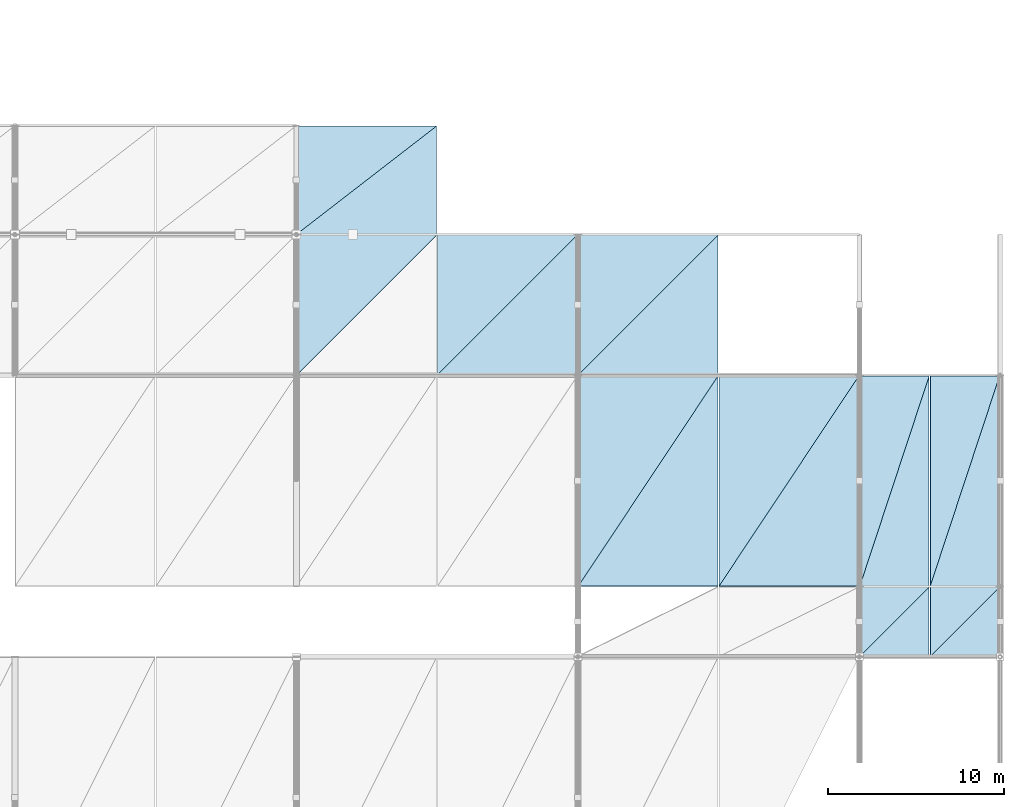
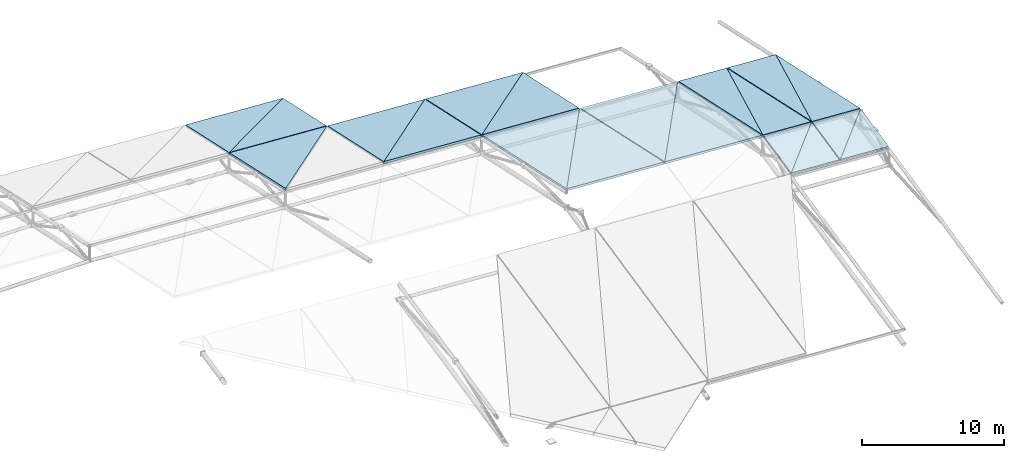
# One storey, part 39 of 67: 19 slabs.
"""IFC4 building model written with IfcOpenShell, lengths in metres."""

from ifc_helpers import new_model, si_unit, direction, frame, origin, place, context, subcontext, project, spatial, polyline, outline, extrude, material, layer, layer_set, type_object, element, save


model = new_model("IFC4")

# Units and contexts
model_context = context("Model", 3, precision=1e-05, world=origin(), true_north=direction((0.0, 1.0)))
body_context = subcontext(model_context, "Body", "Model", "MODEL_VIEW")
ifc_project = project(units=[si_unit("LENGTHUNIT", "METRE"), si_unit("AREAUNIT", "SQUARE_METRE"), si_unit("VOLUMEUNIT", "CUBIC_METRE"), si_unit("PLANEANGLEUNIT", "RADIAN"), si_unit("MASSUNIT", "GRAM", prefix="KILO")], contexts=[model_context])

# Site, building, storey
site_placement = place(None, origin())
site = spatial("IfcSite", under=ifc_project, at=site_placement, CompositionType="ELEMENT")
building_placement = place(site_placement, origin())
building = spatial("IfcBuilding", under=site, at=building_placement, Name="Drelvath Fold Interchange", CompositionType="ELEMENT")
storey_placement = place(building_placement, frame((0.0, 0.0, 15.60009765625)))
storey = spatial("IfcBuildingStorey", under=building, at=storey_placement, Name="L03", CompositionType="ELEMENT", Elevation=15.60009765625)

# Slabs
ifc_material = material(Name="Concrete f'c 35 MPa (5000 psi)", Category="concrete")
ifc_layer = layer(ifc_material, 0.169921875, Name="Concrete f'c 35 MPa (5000 psi)")
ifc_layer_set = layer_set([ifc_layer], Name="Concrete f'c 35 MPa (5000 psi)")
slab_type = type_object("IfcSlabType", Name="RF-SF1", PredefinedType="ROOF", material=ifc_layer_set)
slab_1_placement = place(storey_placement, frame((134.030029296875, 59.030029296875, 3.489990234375), z_axis=(0.058572452079, 0.212666286579, 0.975367786227), x_axis=(0.693820147809, 0.693820147809, -0.192943527975)))
element("IfcSlab", 1, at=slab_1_placement, inside=storey, type_object=slab_type, Name="Space frame canopy sloped roof facet 104", PredefinedType="ROOF", context=body_context, shape_type="SweptSolid", body=[
    extrude(outline(polyline([(0.0, 0.0), (11.443803457305071, 8.604228440844963e-16), (5.842915381818225, 5.648014418633915), (0.0, 0.0)])), origin(), (0.0, 0.0, -1.0), 0.169921875),
])
slab_2_placement = place(storey_placement, frame((134.030029296875, 67.030029296875, 1.745849609375), z_axis=(0.058602056406, 0.212687647419, 0.97536135028), x_axis=(0.99819992436, 0.0, -0.059974252881)))
element("IfcSlab", 2, at=slab_2_placement, inside=storey, type_object=slab_type, Name="Space frame canopy sloped roof facet 105", PredefinedType="ROOF", context=body_context, shape_type="SweptSolid", body=[
    extrude(outline(polyline([(0.0, 0.0), (7.954259675329594, -1.3877787807814457e-17), (8.0345572346069, 6.283661235191848), (0.0, 0.0)])), origin(), (0.0, 0.0, -1.0), 0.169921875),
])
slab_3_placement = place(storey_placement, frame((134.030029296875, 67.030029296875, 1.745849609375), z_axis=(0.058723543311, 0.212538028694, 0.975386657598), x_axis=(0.778431207908, 0.601954567606, -0.178032449555)))
element("IfcSlab", 3, at=slab_3_placement, inside=storey, type_object=slab_type, Name="Space frame canopy sloped roof facet 106", PredefinedType="ROOF", context=body_context, shape_type="SweptSolid", body=[
    extrude(outline(polyline([(0.0, 0.0), (10.19992688575888, -2.7755575615628914e-16), (3.9341243272145876, 4.900091629081616), (0.0, 0.0)])), origin(), (0.0, 0.0, -1.0), 0.169921875),
])
slab_4_placement = place(storey_placement, frame((142.030029296875, 59.030029296875, 3.0087890625), z_axis=(0.058572452079, 0.212666286579, 0.975367786227), x_axis=(0.998201761375, 0.0, -0.05994367013)))
element("IfcSlab", 4, at=slab_4_placement, inside=storey, type_object=slab_type, Name="Space frame canopy sloped roof facet 115", PredefinedType="ROOF", context=body_context, shape_type="SweptSolid", body=[
    extrude(outline(polyline([(0.0, 0.0), (7.954245036911256, 0.0), (8.058019588886626, 8.125820443164304), (0.0, 0.0)])), origin(), (0.0, 0.0, -1.0), 0.169921875),
])
slab_5_placement = place(storey_placement, frame((142.030029296875, 59.030029296875, 3.0087890625), z_axis=(0.05860271387, 0.212637278064, 0.975372292976), x_axis=(0.693820147809, 0.693820147809, -0.192943527975)))
element("IfcSlab", 5, at=slab_5_placement, inside=storey, type_object=slab_type, Name="Space frame canopy sloped roof facet 116", PredefinedType="ROOF", context=body_context, shape_type="SweptSolid", body=[
    extrude(outline(polyline([(0.0, 0.0), (11.443803457305071, -3.3306690738754696e-16), (5.842868276464715, 5.6479883217477775), (0.0, 0.0)])), origin(), (0.0, 0.0, -1.0), 0.169921875),
])
slab_6_placement = place(storey_placement, frame((150.030029296875, 47.030029296875, 5.143798828125), z_axis=(0.058572779625, 0.212641178827, 0.975373240639), x_axis=(0.998201761375, 0.0, -0.05994367013)))
element("IfcSlab", 6, at=slab_6_placement, inside=storey, type_object=slab_type, Name="Space frame canopy sloped roof facet 125", PredefinedType="ROOF", context=body_context, shape_type="SweptSolid", body=[
    extrude(outline(polyline([(0.0, 0.0), (7.954245036911256, -1.3877787807814457e-17), (8.110280049344114, 12.219394633609658), (0.0, 0.0)])), origin(), (0.0, 0.0, -1.0), 0.169921875),
])
slab_7_placement = place(storey_placement, frame((150.030029296875, 47.030029296875, 5.143798828125), z_axis=(0.058602916352, 0.212621763051, 0.975375663051), x_axis=(0.541385896221, 0.814126395689, -0.209998864794)))
element("IfcSlab", 7, at=slab_7_placement, inside=storey, type_object=slab_type, Name="Space frame canopy sloped roof facet 126", PredefinedType="ROOF", context=body_context, shape_type="SweptSolid", body=[
    extrude(outline(polyline([(0.0, 0.0), (14.665955396450572, -6.106226635438361e-16), (10.267202979771145, 6.62730896815075), (0.0, 0.0)])), origin(), (0.0, 0.0, -1.0), 0.169921875),
])
slab_8_placement = place(storey_placement, frame((150.030029296875, 59.030029296875, 2.52783203125), z_axis=(0.05860271387, 0.212637278064, 0.975372292976), x_axis=(0.99819992436, 0.0, -0.059974252881)))
element("IfcSlab", 8, at=slab_8_placement, inside=storey, type_object=slab_type, Name="Space frame canopy sloped roof facet 127", PredefinedType="ROOF", context=body_context, shape_type="SweptSolid", body=[
    extrude(outline(polyline([(0.0, 0.0), (7.954259675329594, 0.0), (8.058072530048067, 8.125767943395397), (0.0, 0.0)])), origin(), (0.0, 0.0, -1.0), 0.169921875),
])
slab_9_placement = place(storey_placement, frame((150.030029296875, 59.030029296875, 2.52783203125), z_axis=(0.05860271387, 0.212637278064, 0.975372292976), x_axis=(0.693820147809, 0.693820147809, -0.192943527975)))
element("IfcSlab", 9, at=slab_9_placement, inside=storey, type_object=slab_type, Name="Space frame canopy sloped roof facet 128", PredefinedType="ROOF", context=body_context, shape_type="SweptSolid", body=[
    extrude(outline(polyline([(0.0, 0.0), (11.443803457305071, -3.3306690738754696e-16), (5.842868276464715, 5.6479883217477775), (0.0, 0.0)])), origin(), (0.0, 0.0, -1.0), 0.169921875),
])
slab_10_placement = place(storey_placement, frame((158.030029296875, 47.030029296875, 4.662841796875), z_axis=(0.058723463999, 0.212544096242, 0.975385340227), x_axis=(0.998192566997, 0.0, -0.060096582196)))
element("IfcSlab", 10, at=slab_10_placement, inside=storey, type_object=slab_type, Name="Space frame canopy sloped roof facet 137", PredefinedType="ROOF", context=body_context, shape_type="SweptSolid", body=[
    extrude(outline(polyline([(0.0, 0.0), (7.954318303667255, -1.3877787807814457e-17), (8.110677990303842, 12.219130502137968), (0.0, 0.0)])), origin(), (0.0, 0.0, -1.0), 0.169921875),
])
slab_11_placement = place(storey_placement, frame((158.030029296875, 47.030029296875, 4.662841796875), z_axis=(0.058572779625, 0.212641178827, 0.975373240639), x_axis=(0.541385896221, 0.814126395689, -0.209998864794)))
element("IfcSlab", 11, at=slab_11_placement, inside=storey, type_object=slab_type, Name="Space frame canopy sloped roof facet 138", PredefinedType="ROOF", context=body_context, shape_type="SweptSolid", body=[
    extrude(outline(polyline([(0.0, 0.0), (14.665955396450572, -6.661338147750939e-16), (10.267254249025246, 6.627325427566269), (0.0, 0.0)])), origin(), (0.0, 0.0, -1.0), 0.169921875),
])
slab_12_placement = place(storey_placement, frame((166.030029296875, 43.030029296875, 3.322998046875), z_axis=(0.058686583493, -0.21262554143, 0.975369808867), x_axis=(0.998194773078, 0.0, -0.060059928409)))
element("IfcSlab", 12, at=slab_12_placement, inside=storey, type_object=slab_type, Name="Space frame canopy sloped roof facet 147", PredefinedType="ROOF", context=body_context, shape_type="SweptSolid", body=[
    extrude(outline(polyline([(0.0, 0.0), (3.947066757424797, -6.938893903907228e-18), (3.8954820825855525, 4.032141329572923), (0.0, 0.0)])), origin(), (0.0, 0.0, -1.0), 0.169921875),
])
slab_13_placement = place(storey_placement, frame((166.030029296875, 43.030029296875, 3.322998046875), z_axis=(0.058686583493, -0.21262554143, 0.975369808867), x_axis=(0.702744137511, 0.702744137511, 0.110911470953)))
element("IfcSlab", 13, at=slab_13_placement, inside=storey, type_object=slab_type, Name="Space frame canopy sloped roof facet 148", PredefinedType="ROOF", context=body_context, shape_type="SweptSolid", body=[
    extrude(outline(polyline([(0.0, 0.0), (5.606509106154665, -1.3877787807814457e-16), (2.8640311147360253, 2.8386881572572022), (0.0, 0.0)])), origin(), (0.0, 0.0, -1.0), 0.169921875),
])
slab_14_placement = place(storey_placement, frame((166.030029296875, 47.030029296875, 4.181884765625), z_axis=(0.058686397696, 0.212639757462, 0.975366720917), x_axis=(0.998194773078, 0.0, -0.060059928409)))
element("IfcSlab", 14, at=slab_14_placement, inside=storey, type_object=slab_type, Name="Space frame canopy sloped roof facet 149", PredefinedType="ROOF", context=body_context, shape_type="SweptSolid", body=[
    extrude(outline(polyline([(0.0, 0.0), (3.947066757424797, 6.938893903907228e-18), (4.103404393336118, 12.219390765524729), (0.0, 0.0)])), origin(), (0.0, 0.0, -1.0), 0.169921875),
])
slab_15_placement = place(storey_placement, frame((166.030029296875, 47.030029296875, 4.181884765625), z_axis=(0.058686397696, 0.212639757462, 0.975366720917), x_axis=(0.305659367861, 0.926296755768, -0.220333091233)))
element("IfcSlab", 15, at=slab_15_placement, inside=storey, type_object=slab_type, Name="Space frame canopy sloped roof facet 150", PredefinedType="ROOF", context=body_context, shape_type="SweptSolid", body=[
    extrude(outline(polyline([(0.0, 0.0), (12.889974332629263, 3.469446951953614e-17), (11.63346204988493, 3.7417259214005143), (0.0, 0.0)])), origin(), (0.0, 0.0, -1.0), 0.169921875),
])
slab_16_placement = place(storey_placement, frame((170.030029296875, 43.030029296875, 3.081787109375), z_axis=(0.058626352009, -0.212626295223, 0.975373266719), x_axis=(0.99819847941, 0.0, -0.059998297498)))
element("IfcSlab", 16, at=slab_16_placement, inside=storey, type_object=slab_type, Name="Space frame canopy sloped roof facet 159", PredefinedType="ROOF", context=body_context, shape_type="SweptSolid", body=[
    extrude(outline(polyline([(0.0, 0.0), (3.947052101879628, 0.0), (3.8955203610106977, 4.032142006429261), (0.0, 0.0)])), origin(), (0.0, 0.0, -1.0), 0.169921875),
])
slab_17_placement = place(storey_placement, frame((170.030029296875, 43.030029296875, 3.081787109375), z_axis=(0.058685829222, -0.212683247202, 0.975357272905), x_axis=(0.702740742796, 0.702740742796, 0.110954480893)))
element("IfcSlab", 17, at=slab_17_placement, inside=storey, type_object=slab_type, Name="Space frame canopy sloped roof facet 160", PredefinedType="ROOF", context=body_context, shape_type="SweptSolid", body=[
    extrude(outline(polyline([(0.0, 0.0), (5.606536189400752, -6.938893903907228e-17), (2.864081768920023, 2.8387109291285033), (0.0, 0.0)])), origin(), (0.0, 0.0, -1.0), 0.169921875),
])
slab_18_placement = place(storey_placement, frame((170.030029296875, 47.030029296875, 3.94091796875), z_axis=(0.058686397696, 0.212639757462, 0.975366720917), x_axis=(0.998194773078, 0.0, -0.060059928409)))
element("IfcSlab", 18, at=slab_18_placement, inside=storey, type_object=slab_type, Name="Space frame canopy sloped roof facet 161", PredefinedType="ROOF", context=body_context, shape_type="SweptSolid", body=[
    extrude(outline(polyline([(0.0, 0.0), (3.947066757424797, 6.938893903907228e-18), (4.103404393336118, 12.219390765524729), (0.0, 0.0)])), origin(), (0.0, 0.0, -1.0), 0.169921875),
])
slab_19_placement = place(storey_placement, frame((170.030029296875, 47.030029296875, 3.94091796875), z_axis=(0.058686397696, 0.212639757462, 0.975366720917), x_axis=(0.305659367861, 0.926296755768, -0.220333091233)))
element("IfcSlab", 19, at=slab_19_placement, inside=storey, type_object=slab_type, Name="Space frame canopy sloped roof facet 162", PredefinedType="ROOF", context=body_context, shape_type="SweptSolid", body=[
    extrude(outline(polyline([(0.0, 0.0), (12.889974332629263, 3.469446951953614e-17), (11.63346204988493, 3.7417259214005143), (0.0, 0.0)])), origin(), (0.0, 0.0, -1.0), 0.169921875),
])

save(model, "model.ifc")
